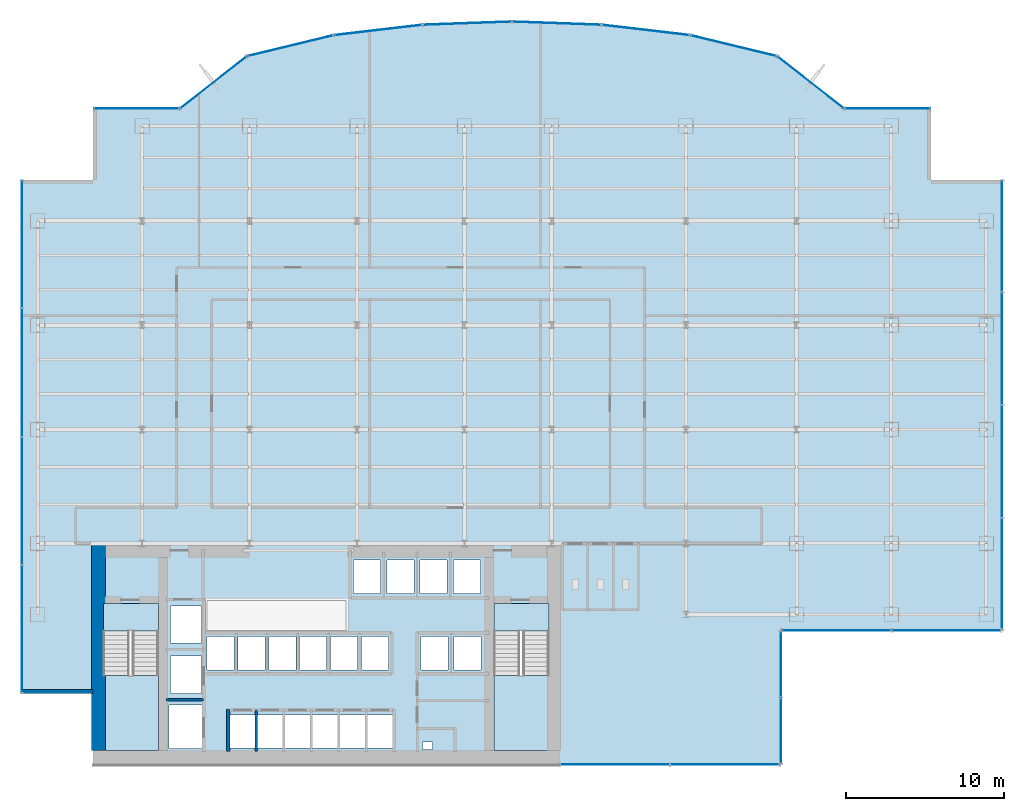
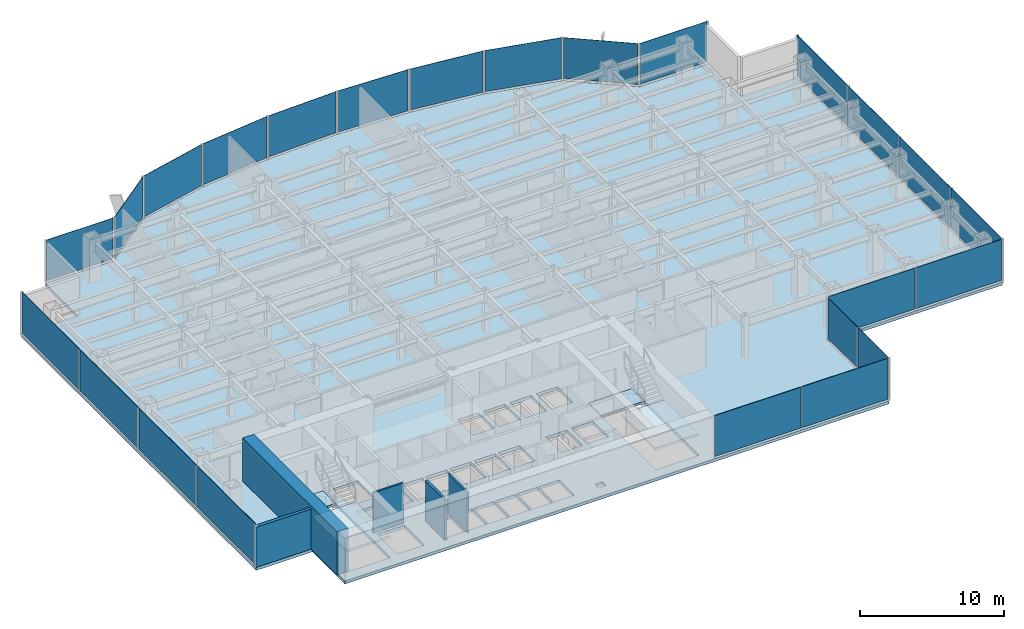
# One storey, part 17 of 23: 24 plates, 5 slabs, 5 walls, 17 elements without a shape of their own.
"""IFC4 building model written with IfcOpenShell, lengths in metres."""

from ifc_helpers import new_model, si_unit, derived_unit, direction, frame, frame_2d, origin, origin_2d, place, context, subcontext, project, spatial, polyline, rectangle, outline, extrude, source, transform, mapped, material, layer, layer_set, type_object, element, aggregate, save


model = new_model("IFC4")

# Units and contexts
model_context = context("Model", 3, precision=1e-05, world=origin(), true_north=direction((0.0, 1.0)))
body_context = subcontext(model_context, "Body", "Model", "MODEL_VIEW")
ifc_project = project(units=[si_unit("LENGTHUNIT", "METRE"), si_unit("AREAUNIT", "SQUARE_METRE"), si_unit("VOLUMEUNIT", "CUBIC_METRE"), si_unit("PLANEANGLEUNIT", "RADIAN"), si_unit("MASSUNIT", "GRAM", prefix="KILO"), derived_unit("THERMALTRANSMITTANCEUNIT", [(si_unit("POWERUNIT", "WATT"), 1), (si_unit("LENGTHUNIT", "METRE"), -2), (si_unit("THERMODYNAMICTEMPERATUREUNIT", "KELVIN"), -1)])], contexts=[model_context])

# Site, building, storey
site_placement = place(None, origin())
site = spatial("IfcSite", under=ifc_project, at=site_placement, CompositionType="ELEMENT")
building_placement = place(site_placement, origin())
building = spatial("IfcBuilding", under=site, at=building_placement, Name="Skarnbrae Concourse Arena and Tower", CompositionType="ELEMENT")
storey_placement = place(building_placement, frame((0.0, 0.0, 54.39990234375)))
storey = spatial("IfcBuildingStorey", under=building, at=storey_placement, Name="L12", CompositionType="ELEMENT", Elevation=54.39990234375)

# Stair, slab
ifc_material_1 = material(Name="Concrete 40 MPa (C40/50)", Category="concrete")
stair_type = type_object("IfcStairType", Name="STAIR-DOGLEG-1650", PredefinedType="HALF_TURN_STAIR", material=ifc_material_1)
stair_1_placement = place(storey_placement, origin())
stair_1 = element("IfcStair", 1, at=stair_1_placement, inside=storey, type_object=stair_type, Name="L12 Protected Exit Stair ST-1", PredefinedType="HALF_TURN_STAIR")
ifc_layer_1 = layer(ifc_material_1, 0.199951171875)
ifc_layer_set_1 = layer_set([ifc_layer_1], Name="Concrete 40 MPa (C40/50)")
slab_type_1 = type_object("IfcSlabType", Name="SLAB-LANDING-200", PredefinedType="LANDING", material=ifc_layer_set_1)
slab_1_placement = place(storey_placement, frame((0.0, 0.0, 1.625)))
slab_1 = element("IfcSlab", 2, at=slab_1_placement, type_object=slab_type_1, Name="ST-1 landing 1", PredefinedType="LANDING", context=body_context, shape_type="SweptSolid", body=[
    extrude(outline(polyline([(5.14990234375, 5.64990234375), (5.14990234375, 0.89990234375), (8.64990234375, 0.89990234375), (8.64990234375, 5.64990234375), (5.14990234375, 5.64990234375)])), origin(), (0.0, 0.0, 1.0), 0.2001953125),
])
aggregate(stair_1, [slab_1])

stair_2_placement = place(storey_placement, origin())
stair_2 = element("IfcStair", 3, at=stair_2_placement, inside=storey, type_object=stair_type, Name="L12 Protected Exit Stair ST-2", PredefinedType="HALF_TURN_STAIR")
slab_2_placement = place(storey_placement, frame((0.0, 0.0, 1.625)))
slab_2 = element("IfcSlab", 4, at=slab_2_placement, type_object=slab_type_1, Name="ST-2 landing 1", PredefinedType="LANDING", context=body_context, shape_type="SweptSolid", body=[
    extrude(outline(polyline([(29.85009765625, 5.64990234375), (29.85009765625, 0.89990234375), (33.35009765625, 0.89990234375), (33.35009765625, 5.64990234375), (29.85009765625, 5.64990234375)])), origin(), (0.0, 0.0, 1.0), 0.2001953125),
])
aggregate(stair_2, [slab_2])

# Slabs
slab_3_placement = place(storey_placement, frame((0.0, 0.0, -0.199951171875)))
element("IfcSlab", 5, at=slab_3_placement, inside=storey, type_object=slab_type_1, Name="L12 Core stair ST1 floor landing", PredefinedType="LANDING", context=body_context, shape_type="SweptSolid", body=[
    extrude(outline(polyline([(5.14990234375, 10.199951171875), (5.14990234375, 8.449951171875), (8.64990234375, 8.449951171875), (8.64990234375, 10.199951171875), (5.14990234375, 10.199951171875)])), origin(), (0.0, 0.0, 1.0), 0.199951171875),
])
slab_4_placement = place(storey_placement, frame((0.0, 0.0, -0.199951171875)))
element("IfcSlab", 6, at=slab_4_placement, inside=storey, type_object=slab_type_1, Name="L12 Core stair ST2 floor landing", PredefinedType="LANDING", context=body_context, shape_type="SweptSolid", body=[
    extrude(outline(polyline([(29.85009765625, 10.199951171875), (29.85009765625, 8.449951171875), (33.35009765625, 8.449951171875), (33.35009765625, 10.199951171875), (29.85009765625, 10.199951171875)])), origin(), (0.0, 0.0, 1.0), 0.199951171875),
])
ifc_layer_2 = layer(ifc_material_1, 0.25)
ifc_layer_set_2 = layer_set([ifc_layer_2], Name="Concrete 40 MPa (C40/50)")
slab_type_2 = type_object("IfcSlabType", Name="SLAB-TOWER-250", PredefinedType="FLOOR", material=ifc_layer_set_2)
slab_5_placement = place(storey_placement, frame((0.0, 0.0, -0.25)))
element("IfcSlab", 7, at=slab_5_placement, inside=storey, type_object=slab_type_2, Name="L12 Structural floor slab", PredefinedType="FLOOR", context=body_context, shape_type="SweptSolid", body=[
    extrude(outline(polyline([(4.5, 0.0), (48.0, 0.0), (48.0, 8.5), (62.0, 8.5), (62.0, 37.0), (57.5, 37.0), (57.5, 41.5), (52.0, 41.5), (47.766357421875, 44.811767578125), (42.2724609375, 46.140380859375), (36.65380859375, 46.796875), (31.0, 47.0), (25.34619140625, 46.796875), (19.7275390625, 46.140380859375), (14.233642578125, 44.811767578125), (10.0, 41.5), (4.5, 41.5), (4.5, 37.0), (0.0, 37.0), (0.0, 4.5), (4.5, 4.5), (4.5, 0.0)]), holes=[polyline([(13.14501953125, 3.155029296875), (14.7548828125, 3.155029296875), (14.7548828125, 1.044921875), (13.14501953125, 1.044921875), (13.14501953125, 3.155029296875)]), polyline([(16.4951171875, 3.155029296875), (16.4951171875, 1.044921875), (14.885009765625, 1.044921875), (14.885009765625, 3.155029296875), (16.4951171875, 3.155029296875)]), polyline([(18.235107421875, 3.155029296875), (18.235107421875, 1.044921875), (16.625, 1.044921875), (16.625, 3.155029296875), (18.235107421875, 3.155029296875)]), polyline([(18.364990234375, 3.155029296875), (19.97509765625, 3.155029296875), (19.97509765625, 1.044921875), (18.364990234375, 1.044921875), (18.364990234375, 3.155029296875)]), polyline([(11.455078125, 3.780029296875), (11.455078125, 1.02001953125), (9.294921875, 1.02001953125), (9.294921875, 3.780029296875), (11.455078125, 3.780029296875)]), polyline([(8.64990234375, 0.89990234375), (5.14990234375, 0.89990234375), (5.14990234375, 10.199951171875), (8.64990234375, 10.199951171875), (8.64990234375, 0.89990234375)]), polyline([(9.39501953125, 6.8798828125), (11.35498046875, 6.8798828125), (11.35498046875, 4.52001953125), (9.39501953125, 4.52001953125), (9.39501953125, 6.8798828125)]), polyline([(13.429931640625, 8.10498046875), (13.429931640625, 5.9951171875), (11.719970703125, 5.9951171875), (11.719970703125, 8.10498046875), (13.429931640625, 8.10498046875)]), polyline([(15.3798828125, 8.10498046875), (15.3798828125, 5.9951171875), (13.669921875, 5.9951171875), (13.669921875, 8.10498046875), (15.3798828125, 8.10498046875)]), polyline([(15.6201171875, 8.10498046875), (17.330078125, 8.10498046875), (17.330078125, 5.9951171875), (15.6201171875, 5.9951171875), (15.6201171875, 8.10498046875)]), polyline([(19.280029296875, 8.10498046875), (19.280029296875, 5.9951171875), (17.570068359375, 5.9951171875), (17.570068359375, 8.10498046875), (19.280029296875, 8.10498046875)]), polyline([(11.35498046875, 10.054931640625), (11.35498046875, 7.695068359375), (9.39501953125, 7.695068359375), (9.39501953125, 10.054931640625), (11.35498046875, 10.054931640625)]), polyline([(25.35009765625, 1.449951171875), (25.9599609375, 1.449951171875), (25.9599609375, 0.949951171875), (25.35009765625, 0.949951171875), (25.35009765625, 1.449951171875)]), polyline([(21.715087890625, 3.155029296875), (21.715087890625, 1.044921875), (20.10498046875, 1.044921875), (20.10498046875, 3.155029296875), (21.715087890625, 3.155029296875)]), polyline([(23.455078125, 3.155029296875), (23.455078125, 1.044921875), (21.844970703125, 1.044921875), (21.844970703125, 3.155029296875), (23.455078125, 3.155029296875)]), polyline([(33.35009765625, 10.199951171875), (33.35009765625, 0.89990234375), (29.85009765625, 0.89990234375), (29.85009765625, 10.199951171875), (33.35009765625, 10.199951171875)]), polyline([(21.22998046875, 8.10498046875), (21.22998046875, 5.9951171875), (19.52001953125, 5.9951171875), (19.52001953125, 8.10498046875), (21.22998046875, 8.10498046875)]), polyline([(23.179931640625, 8.10498046875), (23.179931640625, 5.9951171875), (21.469970703125, 5.9951171875), (21.469970703125, 8.10498046875), (23.179931640625, 8.10498046875)]), polyline([(25.235107421875, 8.10498046875), (26.945068359375, 8.10498046875), (26.945068359375, 5.9951171875), (25.235107421875, 5.9951171875), (25.235107421875, 8.10498046875)]), polyline([(29.044921875, 8.10498046875), (29.044921875, 5.9951171875), (27.3349609375, 5.9951171875), (27.3349609375, 8.10498046875), (29.044921875, 8.10498046875)]), polyline([(22.695068359375, 12.955078125), (22.695068359375, 10.844970703125), (20.985107421875, 10.844970703125), (20.985107421875, 12.955078125), (22.695068359375, 12.955078125)]), polyline([(23.0849609375, 12.955078125), (24.794921875, 12.955078125), (24.794921875, 10.844970703125), (23.0849609375, 10.844970703125), (23.0849609375, 12.955078125)]), polyline([(26.89501953125, 12.955078125), (26.89501953125, 10.844970703125), (25.18505859375, 10.844970703125), (25.18505859375, 12.955078125), (26.89501953125, 12.955078125)]), polyline([(28.9951171875, 12.955078125), (28.9951171875, 10.844970703125), (27.284912109375, 10.844970703125), (27.284912109375, 12.955078125), (28.9951171875, 12.955078125)])]), origin(), (0.0, 0.0, 1.0), 0.25),
])

# Curtain wall, plates
ifc_material_2 = material(Name="Bronze anodised aluminium 6063-T6", Category="aluminium")
curtain_wall_type_1 = type_object("IfcCurtainWallType", Name="CW-SYS-02-LOWZONE", PredefinedType="USERDEFINED", material=ifc_material_2)
curtain_wall_1_placement = place(storey_placement, origin())
curtain_wall_1 = element("IfcCurtainWall", 8, at=curtain_wall_1_placement, inside=storey, type_object=curtain_wall_type_1, Name="L12 Unitised curtain wall CW-L12-SE-SPINE", ObjectType="UNITISED CURTAIN WALL", PredefinedType="USERDEFINED")
ifc_material_3 = material(Name="Low-E triple insulating glass", Category="glass")
ifc_layer_3 = layer(ifc_material_3, 0.031982421875)
ifc_layer_set_3 = layer_set([ifc_layer_3], Name="Low-E triple insulating glass")
plate_type_1 = type_object("IfcPlateType", Name="CWP-CW-02", PredefinedType="CURTAIN_PANEL", material=ifc_layer_set_3)
shared_shape_1 = source(origin(), body_context, "Body", "SweptSolid", [
    extrude(rectangle(XDim=6.8798828125, YDim=0.031982421875, at=origin_2d()), origin(), (0.0, 0.0, 1.0), 3.4599609375),
])
plate_1_placement = place(storey_placement, frame((37.52001953125, 0.0, 0.190185546875), z_axis=(0.0, 0.0, 1.0), x_axis=(1.0, 0.0, 0.0)))
plate_1 = element("IfcPlate", 9, at=plate_1_placement, type_object=plate_type_1, Name="CW-L12-SE-SPINE Low-E Glazing Panel 1", PredefinedType="CURTAIN_PANEL", context=body_context, shape_type="MappedRepresentation", body=[
    mapped(shared_shape_1, transform((0.0, 0.0, 0.0))),
])
plate_2_placement = place(storey_placement, frame((44.47998046875, 0.0, 0.190185546875), z_axis=(0.0, 0.0, 1.0), x_axis=(1.0, 0.0, 0.0)))
plate_2 = element("IfcPlate", 10, at=plate_2_placement, type_object=plate_type_1, Name="CW-L12-SE-SPINE Low-E Glazing Panel 2", PredefinedType="CURTAIN_PANEL", context=body_context, shape_type="MappedRepresentation", body=[
    mapped(shared_shape_1, transform((0.0, 0.0, 0.0))),
])
aggregate(curtain_wall_1, [plate_1, plate_2])

curtain_wall_2_placement = place(storey_placement, origin())
curtain_wall_2 = element("IfcCurtainWall", 11, at=curtain_wall_2_placement, inside=storey, type_object=curtain_wall_type_1, Name="L12 Unitised curtain wall CW-L12-E03", ObjectType="UNITISED CURTAIN WALL", PredefinedType="USERDEFINED")
plate_3_placement = place(storey_placement, frame((51.52001953125, 8.5, 0.190185546875), z_axis=(0.0, 0.0, 1.0), x_axis=(1.0, 0.0, 0.0)))
plate_3 = element("IfcPlate", 12, at=plate_3_placement, type_object=plate_type_1, Name="CW-L12-E03 Low-E Glazing Panel 1", PredefinedType="CURTAIN_PANEL", context=body_context, shape_type="MappedRepresentation", body=[
    mapped(shared_shape_1, transform((0.0, 0.0, 0.0))),
])
plate_4_placement = place(storey_placement, frame((58.47998046875, 8.5, 0.190185546875), z_axis=(0.0, 0.0, 1.0), x_axis=(1.0, 0.0, 0.0)))
plate_4 = element("IfcPlate", 13, at=plate_4_placement, type_object=plate_type_1, Name="CW-L12-E03 Low-E Glazing Panel 2", PredefinedType="CURTAIN_PANEL", context=body_context, shape_type="MappedRepresentation", body=[
    mapped(shared_shape_1, transform((0.0, 0.0, 0.0))),
])
aggregate(curtain_wall_2, [plate_3, plate_4])

curtain_wall_3_placement = place(storey_placement, origin())
curtain_wall_3 = element("IfcCurtainWall", 14, at=curtain_wall_3_placement, inside=storey, type_object=curtain_wall_type_1, Name="L12 Unitised curtain wall CW-L12-E02", ObjectType="UNITISED CURTAIN WALL", PredefinedType="USERDEFINED")
shared_shape_2 = source(origin(), body_context, "Body", "SweptSolid", [
    extrude(rectangle(XDim=4.1298828125, YDim=0.031982421875, at=origin_2d()), origin(), (0.0, 0.0, 1.0), 3.4599609375),
])
plate_5_placement = place(storey_placement, frame((48.0, 2.14501953125, 0.190185546875), z_axis=(0.0, 0.0, 1.0), x_axis=(0.0, 1.0, 0.0)))
plate_5 = element("IfcPlate", 15, at=plate_5_placement, type_object=plate_type_1, Name="CW-L12-E02 Low-E Glazing Panel 1", PredefinedType="CURTAIN_PANEL", context=body_context, shape_type="MappedRepresentation", body=[
    mapped(shared_shape_2, transform((0.0, 0.0, 0.0))),
])
plate_6_placement = place(storey_placement, frame((48.0, 6.35498046875, 0.190185546875), z_axis=(0.0, 0.0, 1.0), x_axis=(0.0, 1.0, 0.0)))
plate_6 = element("IfcPlate", 16, at=plate_6_placement, type_object=plate_type_1, Name="CW-L12-E02 Low-E Glazing Panel 2", PredefinedType="CURTAIN_PANEL", context=body_context, shape_type="MappedRepresentation", body=[
    mapped(shared_shape_2, transform((0.0, 0.0, 0.0))),
])
aggregate(curtain_wall_3, [plate_5, plate_6])

curtain_wall_4_placement = place(storey_placement, origin())
curtain_wall_4 = element("IfcCurtainWall", 17, at=curtain_wall_4_placement, inside=storey, type_object=curtain_wall_type_1, Name="L12 Unitised curtain wall CW-L12-E04", ObjectType="UNITISED CURTAIN WALL", PredefinedType="USERDEFINED")
shared_shape_3 = source(origin(), body_context, "Body", "SweptSolid", [
    extrude(rectangle(XDim=7.0048828125, YDim=0.031982421875, at=origin_2d()), origin(), (0.0, 0.0, 1.0), 3.4599609375),
])
plate_7_placement = place(storey_placement, frame((62.0, 12.08251953125, 0.190185546875), z_axis=(0.0, 0.0, 1.0), x_axis=(0.0, 1.0, 0.0)))
plate_7 = element("IfcPlate", 18, at=plate_7_placement, type_object=plate_type_1, Name="CW-L12-E04 Low-E Glazing Panel 1", PredefinedType="CURTAIN_PANEL", context=body_context, shape_type="MappedRepresentation", body=[
    mapped(shared_shape_3, transform((0.0, 0.0, 0.0))),
])
plate_8_placement = place(storey_placement, frame((62.0, 33.41748046875, 0.190185546875), z_axis=(0.0, 0.0, 1.0), x_axis=(0.0, 1.0, 0.0)))
plate_8 = element("IfcPlate", 19, at=plate_8_placement, type_object=plate_type_1, Name="CW-L12-E04 Low-E Glazing Panel 4", PredefinedType="CURTAIN_PANEL", context=body_context, shape_type="MappedRepresentation", body=[
    mapped(shared_shape_3, transform((0.0, 0.0, 0.0))),
])
shared_shape_4 = source(origin(), body_context, "Body", "SweptSolid", [
    extrude(rectangle(XDim=7.044921875, YDim=0.031982421875, at=origin_2d()), origin(), (0.0, 0.0, 1.0), 3.4599609375),
])
plate_9_placement = place(storey_placement, frame((62.0, 19.1875, 0.190185546875), z_axis=(0.0, 0.0, 1.0), x_axis=(0.0, 1.0, 0.0)))
plate_9 = element("IfcPlate", 20, at=plate_9_placement, type_object=plate_type_1, Name="CW-L12-E04 Low-E Glazing Panel 2", PredefinedType="CURTAIN_PANEL", context=body_context, shape_type="MappedRepresentation", body=[
    mapped(shared_shape_4, transform((0.0, 0.0, 0.0))),
])
plate_10_placement = place(storey_placement, frame((62.0, 26.3125, 0.190185546875), z_axis=(0.0, 0.0, 1.0), x_axis=(0.0, 1.0, 0.0)))
plate_10 = element("IfcPlate", 21, at=plate_10_placement, type_object=plate_type_1, Name="CW-L12-E04 Low-E Glazing Panel 3", PredefinedType="CURTAIN_PANEL", context=body_context, shape_type="MappedRepresentation", body=[
    mapped(shared_shape_4, transform((0.0, 0.0, 0.0))),
])
aggregate(curtain_wall_4, [plate_7, plate_9, plate_10, plate_8])

# Curtain wall, plate
curtain_wall_5_placement = place(storey_placement, origin())
curtain_wall_5 = element("IfcCurtainWall", 22, at=curtain_wall_5_placement, inside=storey, type_object=curtain_wall_type_1, Name="L12 Unitised curtain wall CW-L12-E07", ObjectType="UNITISED CURTAIN WALL", PredefinedType="USERDEFINED")
shared_shape_5 = source(origin(), body_context, "Body", "SweptSolid", [
    extrude(rectangle(XDim=5.340087890625, YDim=0.031982421875, at=origin_2d()), origin(), (0.0, 0.0, 1.0), 3.4599609375),
])
plate_11_placement = place(storey_placement, frame((54.75, 41.5, 0.190185546875), z_axis=(0.0, 0.0, 1.0), x_axis=(-1.0, 0.0, 0.0)))
plate_11 = element("IfcPlate", 23, at=plate_11_placement, type_object=plate_type_1, Name="CW-L12-E07 Low-E Glazing Panel 1", PredefinedType="CURTAIN_PANEL", context=body_context, shape_type="MappedRepresentation", body=[
    mapped(shared_shape_5, transform((0.0, 0.0, 0.0))),
])
aggregate(curtain_wall_5, [plate_11])

curtain_wall_6_placement = place(storey_placement, origin())
curtain_wall_6 = element("IfcCurtainWall", 24, at=curtain_wall_6_placement, inside=storey, type_object=curtain_wall_type_1, Name="L12 Unitised curtain wall CW-L12-E16", ObjectType="UNITISED CURTAIN WALL", PredefinedType="USERDEFINED")
plate_12_placement = place(storey_placement, frame((7.25, 41.5, 0.190185546875), z_axis=(0.0, 0.0, 1.0), x_axis=(-1.0, 0.0, 0.0)))
plate_12 = element("IfcPlate", 25, at=plate_12_placement, type_object=plate_type_1, Name="CW-L12-E16 Low-E Glazing Panel 1", PredefinedType="CURTAIN_PANEL", context=body_context, shape_type="MappedRepresentation", body=[
    mapped(shared_shape_5, transform((0.0, 0.0, 0.0))),
])
aggregate(curtain_wall_6, [plate_12])

curtain_wall_7_placement = place(storey_placement, origin())
curtain_wall_7 = element("IfcCurtainWall", 26, at=curtain_wall_7_placement, inside=storey, type_object=curtain_wall_type_1, Name="L12 Unitised curtain wall CW-L12-E08", ObjectType="UNITISED CURTAIN WALL", PredefinedType="USERDEFINED")
shared_shape_6 = source(origin(), body_context, "Body", "SweptSolid", [
    extrude(rectangle(XDim=5.215087890625, YDim=0.031982421875, at=origin_2d()), origin(), (0.0, 0.0, 1.0), 3.4599609375),
])
plate_13_placement = place(storey_placement, frame((49.88330078125, 43.156005859375, 0.190185546875), z_axis=(0.0, 0.0, 1.0), x_axis=(-0.787651726054, 0.616120733658, 0.0)))
plate_13 = element("IfcPlate", 27, at=plate_13_placement, type_object=plate_type_1, Name="CW-L12-E08 Low-E Glazing Panel 1", PredefinedType="CURTAIN_PANEL", context=body_context, shape_type="MappedRepresentation", body=[
    mapped(shared_shape_6, transform((0.0, 0.0, 0.0))),
])
aggregate(curtain_wall_7, [plate_13])

curtain_wall_8_placement = place(storey_placement, origin())
curtain_wall_8 = element("IfcCurtainWall", 28, at=curtain_wall_8_placement, inside=storey, type_object=curtain_wall_type_1, Name="L12 Unitised curtain wall CW-L12-E15", ObjectType="UNITISED CURTAIN WALL", PredefinedType="USERDEFINED")
plate_14_placement = place(storey_placement, frame((12.11669921875, 43.156005859375, 0.190185546875), z_axis=(0.0, 0.0, 1.0), x_axis=(-0.787651726054, -0.616120733658, 0.0)))
plate_14 = element("IfcPlate", 29, at=plate_14_placement, type_object=plate_type_1, Name="CW-L12-E15 Low-E Glazing Panel 1", PredefinedType="CURTAIN_PANEL", context=body_context, shape_type="MappedRepresentation", body=[
    mapped(shared_shape_6, transform((0.0, 0.0, 0.0))),
])
aggregate(curtain_wall_8, [plate_14])

# Curtain wall, plates
curtain_wall_9_placement = place(storey_placement, origin())
curtain_wall_9 = element("IfcCurtainWall", 30, at=curtain_wall_9_placement, inside=storey, type_object=curtain_wall_type_1, Name="L12 Unitised curtain wall CW-L12-E19", ObjectType="UNITISED CURTAIN WALL", PredefinedType="USERDEFINED")
shared_shape_7 = source(origin(), body_context, "Body", "SweptSolid", [
    extrude(rectangle(XDim=8.0048828125, YDim=0.031982421875, at=origin_2d()), origin(), (0.0, 0.0, 1.0), 3.4599609375),
])
plate_15_placement = place(storey_placement, frame((0.0, 32.91748046875, 0.190185546875), z_axis=(0.0, 0.0, 1.0), x_axis=(0.0, -1.0, 0.0)))
plate_15 = element("IfcPlate", 31, at=plate_15_placement, type_object=plate_type_1, Name="CW-L12-E19 Low-E Glazing Panel 1", PredefinedType="CURTAIN_PANEL", context=body_context, shape_type="MappedRepresentation", body=[
    mapped(shared_shape_7, transform((0.0, 0.0, 0.0))),
])
plate_16_placement = place(storey_placement, frame((0.0, 8.58251953125, 0.190185546875), z_axis=(0.0, 0.0, 1.0), x_axis=(0.0, -1.0, 0.0)))
plate_16 = element("IfcPlate", 32, at=plate_16_placement, type_object=plate_type_1, Name="CW-L12-E19 Low-E Glazing Panel 4", PredefinedType="CURTAIN_PANEL", context=body_context, shape_type="MappedRepresentation", body=[
    mapped(shared_shape_7, transform((0.0, 0.0, 0.0))),
])
shared_shape_8 = source(origin(), body_context, "Body", "SweptSolid", [
    extrude(rectangle(XDim=8.044921875, YDim=0.031982421875, at=origin_2d()), origin(), (0.0, 0.0, 1.0), 3.4599609375),
])
plate_17_placement = place(storey_placement, frame((0.0, 24.8125, 0.190185546875), z_axis=(0.0, 0.0, 1.0), x_axis=(0.0, -1.0, 0.0)))
plate_17 = element("IfcPlate", 33, at=plate_17_placement, type_object=plate_type_1, Name="CW-L12-E19 Low-E Glazing Panel 2", PredefinedType="CURTAIN_PANEL", context=body_context, shape_type="MappedRepresentation", body=[
    mapped(shared_shape_8, transform((0.0, 0.0, 0.0))),
])
plate_18_placement = place(storey_placement, frame((0.0, 16.6875, 0.190185546875), z_axis=(0.0, 0.0, 1.0), x_axis=(0.0, -1.0, 0.0)))
plate_18 = element("IfcPlate", 34, at=plate_18_placement, type_object=plate_type_1, Name="CW-L12-E19 Low-E Glazing Panel 3", PredefinedType="CURTAIN_PANEL", context=body_context, shape_type="MappedRepresentation", body=[
    mapped(shared_shape_8, transform((0.0, 0.0, 0.0))),
])
aggregate(curtain_wall_9, [plate_15, plate_17, plate_18, plate_16])

# Curtain wall, plate
curtain_wall_type_2 = type_object("IfcCurtainWallType", Name="CW-SYS-03-PORTAL", PredefinedType="USERDEFINED", material=ifc_material_2)
curtain_wall_10_placement = place(storey_placement, origin())
curtain_wall_10 = element("IfcCurtainWall", 35, at=curtain_wall_10_placement, inside=storey, type_object=curtain_wall_type_2, Name="L12 Unitised curtain wall CW-L12-E09", ObjectType="UNITISED CURTAIN WALL", PredefinedType="USERDEFINED")
ifc_layer_4 = layer(ifc_material_3, 0.033935546875)
ifc_layer_set_4 = layer_set([ifc_layer_4], Name="Low-E triple insulating glass")
plate_type_2 = type_object("IfcPlateType", Name="CWP-CW-03", PredefinedType="CURTAIN_PANEL", material=ifc_layer_set_4)
shared_shape_9 = source(origin(), body_context, "Body", "SweptSolid", [
    extrude(rectangle(XDim=5.4921875, YDim=0.033935546875, at=origin_2d()), origin(), (0.0, 0.0, 1.0), 3.47998046875),
])
plate_19_placement = place(storey_placement, frame((45.019287109375, 45.47607421875, 0.170166015625), z_axis=(0.0, 0.0, 1.0), x_axis=(-0.971973721569, 0.235089524607, 0.0)))
plate_19 = element("IfcPlate", 36, at=plate_19_placement, type_object=plate_type_2, Name="CW-L12-E09 Low-E Glazing Panel 1", PredefinedType="CURTAIN_PANEL", context=body_context, shape_type="MappedRepresentation", body=[
    mapped(shared_shape_9, transform((0.0, 0.0, 0.0))),
])
aggregate(curtain_wall_10, [plate_19])

curtain_wall_11_placement = place(storey_placement, origin())
curtain_wall_11 = element("IfcCurtainWall", 37, at=curtain_wall_11_placement, inside=storey, type_object=curtain_wall_type_2, Name="L12 Unitised curtain wall CW-L12-E14", ObjectType="UNITISED CURTAIN WALL", PredefinedType="USERDEFINED")
plate_20_placement = place(storey_placement, frame((16.980712890625, 45.47607421875, 0.170166015625), z_axis=(0.0, 0.0, 1.0), x_axis=(-0.971973721569, -0.235089524607, 0.0)))
plate_20 = element("IfcPlate", 38, at=plate_20_placement, type_object=plate_type_2, Name="CW-L12-E14 Low-E Glazing Panel 1", PredefinedType="CURTAIN_PANEL", context=body_context, shape_type="MappedRepresentation", body=[
    mapped(shared_shape_9, transform((0.0, 0.0, 0.0))),
])
aggregate(curtain_wall_11, [plate_20])

curtain_wall_12_placement = place(storey_placement, origin())
curtain_wall_12 = element("IfcCurtainWall", 39, at=curtain_wall_12_placement, inside=storey, type_object=curtain_wall_type_2, Name="L12 Unitised curtain wall CW-L12-E10", ObjectType="UNITISED CURTAIN WALL", PredefinedType="USERDEFINED")
shared_shape_10 = source(origin(), body_context, "Body", "SweptSolid", [
    extrude(rectangle(XDim=5.49658203125, YDim=0.033935546875, at=origin_2d()), origin(), (0.0, 0.0, 1.0), 3.47998046875),
])
plate_21_placement = place(storey_placement, frame((39.463134765625, 46.46875, 0.170166015625), z_axis=(0.0, 0.0, 1.0), x_axis=(-0.99324457001, 0.116039752435, 0.0)))
plate_21 = element("IfcPlate", 40, at=plate_21_placement, type_object=plate_type_2, Name="CW-L12-E10 Low-E Glazing Panel 1", PredefinedType="CURTAIN_PANEL", context=body_context, shape_type="MappedRepresentation", body=[
    mapped(shared_shape_10, transform((0.0, 0.0, 0.0))),
])
aggregate(curtain_wall_12, [plate_21])

curtain_wall_13_placement = place(storey_placement, origin())
curtain_wall_13 = element("IfcCurtainWall", 41, at=curtain_wall_13_placement, inside=storey, type_object=curtain_wall_type_2, Name="L12 Unitised curtain wall CW-L12-E13", ObjectType="UNITISED CURTAIN WALL", PredefinedType="USERDEFINED")
plate_22_placement = place(storey_placement, frame((22.536865234375, 46.46875, 0.170166015625), z_axis=(0.0, 0.0, 1.0), x_axis=(-0.99324457001, -0.116039752435, 0.0)))
plate_22 = element("IfcPlate", 42, at=plate_22_placement, type_object=plate_type_2, Name="CW-L12-E13 Low-E Glazing Panel 1", PredefinedType="CURTAIN_PANEL", context=body_context, shape_type="MappedRepresentation", body=[
    mapped(shared_shape_10, transform((0.0, 0.0, 0.0))),
])
aggregate(curtain_wall_13, [plate_22])

curtain_wall_14_placement = place(storey_placement, origin())
curtain_wall_14 = element("IfcCurtainWall", 43, at=curtain_wall_14_placement, inside=storey, type_object=curtain_wall_type_2, Name="L12 Unitised curtain wall CW-L12-E11", ObjectType="UNITISED CURTAIN WALL", PredefinedType="USERDEFINED")
shared_shape_11 = source(origin(), body_context, "Body", "SweptSolid", [
    extrude(rectangle(XDim=5.49755859375, YDim=0.033935546875, at=origin_2d()), origin(), (0.0, 0.0, 1.0), 3.47998046875),
])
plate_23_placement = place(storey_placement, frame((33.826904296875, 46.8984375, 0.170166015625), z_axis=(0.0, 0.0, 1.0), x_axis=(-0.999355425188, 0.035898943527, 0.0)))
plate_23 = element("IfcPlate", 44, at=plate_23_placement, type_object=plate_type_2, Name="CW-L12-E11 Low-E Glazing Panel 1", PredefinedType="CURTAIN_PANEL", context=body_context, shape_type="MappedRepresentation", body=[
    mapped(shared_shape_11, transform((0.0, 0.0, 0.0))),
])
aggregate(curtain_wall_14, [plate_23])

curtain_wall_15_placement = place(storey_placement, origin())
curtain_wall_15 = element("IfcCurtainWall", 45, at=curtain_wall_15_placement, inside=storey, type_object=curtain_wall_type_2, Name="L12 Unitised curtain wall CW-L12-E12", ObjectType="UNITISED CURTAIN WALL", PredefinedType="USERDEFINED")
plate_24_placement = place(storey_placement, frame((28.173095703125, 46.8984375, 0.170166015625), z_axis=(0.0, 0.0, 1.0), x_axis=(-0.999355425188, -0.035898943527, 0.0)))
plate_24 = element("IfcPlate", 46, at=plate_24_placement, type_object=plate_type_2, Name="CW-L12-E12 Low-E Glazing Panel 1", PredefinedType="CURTAIN_PANEL", context=body_context, shape_type="MappedRepresentation", body=[
    mapped(shared_shape_11, transform((0.0, 0.0, 0.0))),
])
aggregate(curtain_wall_15, [plate_24])

# Walls
ifc_material_4 = material(Name="Concrete 70 MPa (C70/85)", Category="concrete")
ifc_layer_5 = layer(ifc_material_4, 0.89990234375)
ifc_layer_set_5 = layer_set([ifc_layer_5], Name="Concrete 70 MPa (C70/85)")
wall_type_1 = type_object("IfcWallType", Name="WALL-CORE-900-C70", PredefinedType="SHEAR", material=ifc_layer_set_5)
shared_shape_12 = source(origin(), body_context, "Body", "SweptSolid", [
    extrude(rectangle(XDim=13.10009765625, YDim=0.89990234375, at=frame_2d((6.550048828125, 0.0))), origin(), (0.0, 0.0, 1.0), 3.650146484375),
])
wall_1_placement = place(storey_placement, frame((4.85009765625, 0.89990234375, 0.0), z_axis=(0.0, 0.0, 1.0), x_axis=(0.0, 1.0, 0.0)))
element("IfcWall", 47, at=wall_1_placement, inside=storey, type_object=wall_type_1, Name="L12 Rear core shear wall CW-W", PredefinedType="SHEAR", context=body_context, shape_type="MappedRepresentation", body=[
    mapped(shared_shape_12, transform((0.0, 0.0, 0.0))),
])
ifc_material_5 = material(Name="Precast concrete 40 MPa (C40/50)", Category="concrete")
ifc_layer_6 = layer(ifc_material_5, 0.25)
ifc_layer_set_6 = layer_set([ifc_layer_6], Name="Precast concrete 40 MPa (C40/50)")
wall_type_2 = type_object("IfcWallType", Name="WALL-EXT-SPANDREL-250", PredefinedType="STANDARD", material=ifc_layer_set_6)
shared_shape_13 = source(origin(), body_context, "Body", "SweptSolid", [
    extrude(rectangle(XDim=4.5, YDim=0.25, at=frame_2d((2.25, 0.0))), origin(), (0.0, 0.0, 1.0), 3.400146484375),
])
wall_2_placement = place(storey_placement, frame((0.0, 4.625, 0.0), z_axis=(0.0, 0.0, 1.0), x_axis=(1.0, 0.0, 0.0)))
element("IfcWall", 48, at=wall_2_placement, inside=storey, type_object=wall_type_2, Name="L12 Notched corner insulated return wall 20", PredefinedType="STANDARD", context=body_context, shape_type="MappedRepresentation", body=[
    mapped(shared_shape_13, transform((0.0, 0.0, 0.0))),
])
ifc_material_6 = material(Name="Gypsum board on cold-formed steel studs", Category="steel")
ifc_layer_7 = layer(ifc_material_6, 0.14990234375)
ifc_layer_set_7 = layer_set([ifc_layer_7], Name="Gypsum board on cold-formed steel studs")
wall_type_3 = type_object("IfcWallType", Name="WALL-PART-150", PredefinedType="PARTITIONING", material=ifc_layer_set_7)
shared_shape_14 = source(origin(), body_context, "Body", "SweptSolid", [
    extrude(rectangle(XDim=2.39990234375, YDim=0.14990234375, at=frame_2d((1.199951171875, 0.0))), origin(), (0.0, 0.0, 1.0), 3.400146484375),
])
wall_3_placement = place(storey_placement, frame((9.10009765625, 4.10009765625, 0.0), z_axis=(0.0, 0.0, 1.0), x_axis=(1.0, 0.0, 0.0)))
element("IfcWall", 49, at=wall_3_placement, inside=storey, type_object=wall_type_3, Name="L12 Interior partition wall W-L12-FL-D1", PredefinedType="PARTITIONING", context=body_context, shape_type="MappedRepresentation", body=[
    mapped(shared_shape_14, transform((0.0, 0.0, 0.0))),
])
ifc_layer_8 = layer(ifc_material_6, 0.199951171875)
ifc_layer_set_8 = layer_set([ifc_layer_8], Name="Gypsum board on cold-formed steel studs")
wall_type_4 = type_object("IfcWallType", Name="WALL-PART-200-2HR", PredefinedType="PARTITIONING", material=ifc_layer_set_8)
shared_shape_15 = source(origin(), body_context, "Body", "SweptSolid", [
    extrude(rectangle(XDim=2.64990234375, YDim=0.199951171875, at=frame_2d((1.324951171875, 0.0))), origin(), (0.0, 0.0, 1.0), 3.400146484375),
])
wall_4_placement = place(storey_placement, frame((13.050048828125, 0.85009765625, 0.0), z_axis=(0.0, 0.0, 1.0), x_axis=(0.0, 1.0, 0.0)))
element("IfcWall", 50, at=wall_4_placement, inside=storey, type_object=wall_type_4, Name="L12 Interior partition wall W-L12-B1-W", PredefinedType="PARTITIONING", context=body_context, shape_type="MappedRepresentation", body=[
    mapped(shared_shape_15, transform((0.0, 0.0, 0.0))),
])
shared_shape_16 = source(origin(), body_context, "Body", "SweptSolid", [
    extrude(rectangle(XDim=2.599853515625, YDim=0.14990234375, at=frame_2d((1.2998046875, 0.0))), origin(), (0.0, 0.0, 1.0), 3.400146484375),
])
wall_5_placement = place(storey_placement, frame((14.820068359375, 0.85009765625, 0.0), z_axis=(0.0, 0.0, 1.0), x_axis=(0.0, 1.0, 0.0)))
element("IfcWall", 51, at=wall_5_placement, inside=storey, type_object=wall_type_3, Name="L12 Interior partition wall W-L12-B1-P1", PredefinedType="PARTITIONING", context=body_context, shape_type="MappedRepresentation", body=[
    mapped(shared_shape_16, transform((0.0, 0.0, 0.0))),
])

save(model, "model.ifc")
